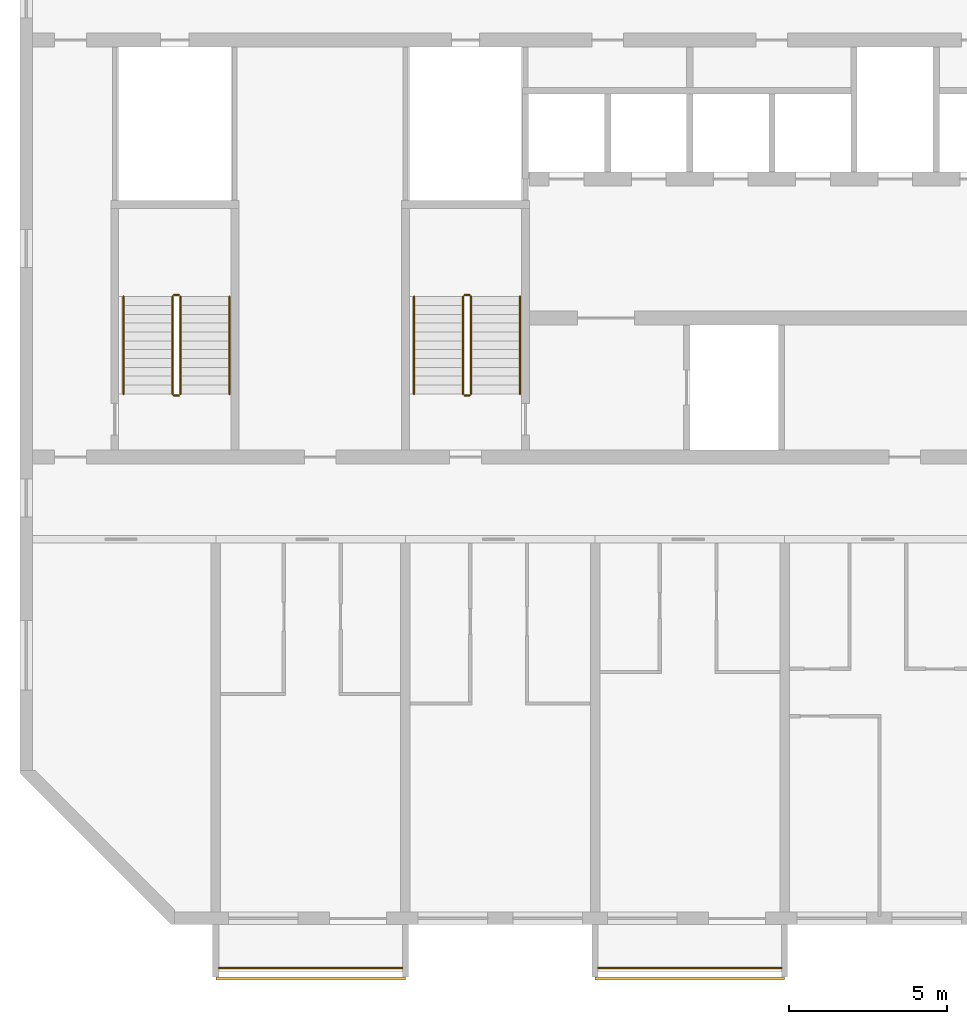
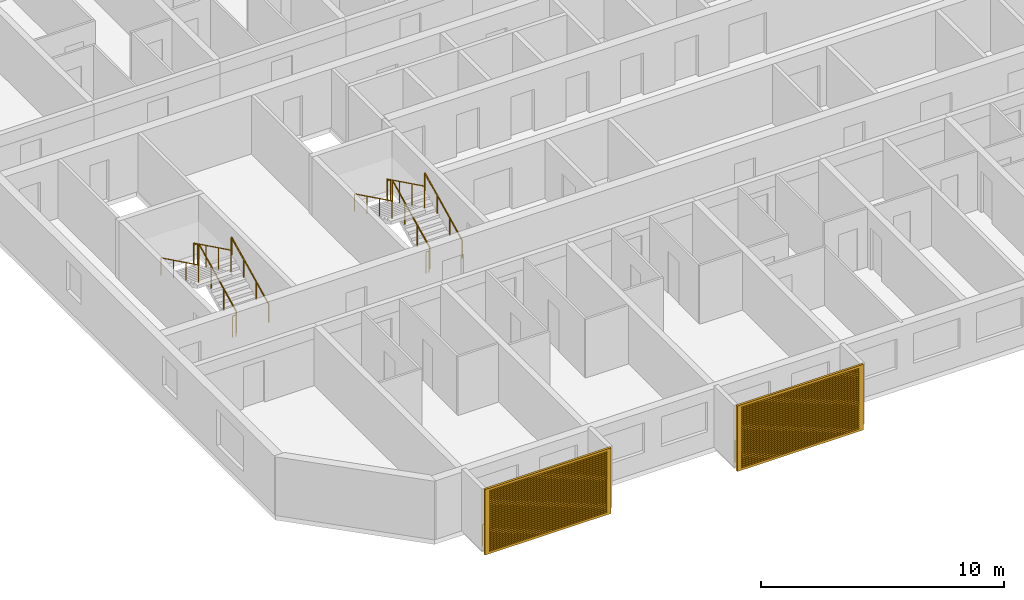
# One storey, part 13 of 26: 14 railings, 2 shading devices.
"""IFC4 building model written with IfcOpenShell, lengths in metres."""

from ifc_helpers import new_model, si_unit, direction, frame, origin, origin_2d, place, context, subcontext, project, spatial, polyline, circle, outline, extrude, source, transform, mapped, material, material_profile, profile_set, type_object, element, save


model = new_model("IFC4")

# Units and contexts
model_context = context("Model", 3, precision=1e-05, world=origin(), true_north=direction((0.0, 1.0)))
body_context = subcontext(model_context, "Body", "Model", "MODEL_VIEW")
ifc_project = project(units=[si_unit("LENGTHUNIT", "METRE"), si_unit("AREAUNIT", "SQUARE_METRE"), si_unit("VOLUMEUNIT", "CUBIC_METRE"), si_unit("PLANEANGLEUNIT", "RADIAN"), si_unit("MASSUNIT", "GRAM", prefix="KILO")], contexts=[model_context])

# Site, building, storey
site_placement = place(None, origin())
site = spatial("IfcSite", under=ifc_project, at=site_placement, CompositionType="ELEMENT")
building_placement = place(site_placement, origin())
building = spatial("IfcBuilding", under=site, at=building_placement, Name="Poui Terraces", CompositionType="ELEMENT")
storey_placement = place(building_placement, frame((0.0, 0.0, 162.0)))
storey = spatial("IfcBuildingStorey", under=building, at=storey_placement, Name="L45", CompositionType="ELEMENT", Elevation=162.0)

# Railings
ifc_material_1 = material(Name="Painted steel fretwork", Category="steel")
railing_type_1 = type_object("IfcRailingType", Name="BALCONY GUARD 1100", PredefinedType="GUARDRAIL", material=ifc_material_1)
for number, where, name in (
    (1, (24.10009765625, -1.570068359375, 0.0), "BALCONY GUARD"),
    (2, (36.10009765625, -1.570068359375, 0.0), "BALCONY GUARD"),
):
    element("IfcRailing", number, at=place(storey_placement, frame(where)), inside=storey, type_object=railing_type_1, Name=name, PredefinedType="GUARDRAIL", context=body_context, shape_type="SweptSolid", body=[
        extrude(circle(Radius=0.02392578125, at=origin_2d()), frame((0.0, 0.0, 1.076171875), z_axis=(1.0, 0.0, 0.0), x_axis=(0.0, 1.0, 0.0)), (0.0, 0.0, 1.0), 5.7998046875),
        extrude(circle(Radius=0.02099609375, at=origin_2d()), origin(), (0.0, 0.0, 1.0), 1.052001953125),
        extrude(circle(Radius=0.02099609375, at=origin_2d()), frame((0.966552734375, 0.0, 0.0)), (0.0, 0.0, 1.0), 1.052001953125),
        extrude(circle(Radius=0.02099609375, at=origin_2d()), frame((1.933349609375, 0.0, 0.0)), (0.0, 0.0, 1.0), 1.052001953125),
        extrude(circle(Radius=0.02099609375, at=origin_2d()), frame((2.89990234375, 0.0, 0.0)), (0.0, 0.0, 1.0), 1.052001953125),
        extrude(circle(Radius=0.02099609375, at=origin_2d()), frame((3.866455078125, 0.0, 0.0)), (0.0, 0.0, 1.0), 1.052001953125),
        extrude(circle(Radius=0.02099609375, at=origin_2d()), frame((4.833251953125, 0.0, 0.0)), (0.0, 0.0, 1.0), 1.052001953125),
        extrude(circle(Radius=0.02099609375, at=origin_2d()), frame((5.7998046875, 0.0, 0.0)), (0.0, 0.0, 1.0), 1.052001953125),
    ])
ifc_material_2 = material(Name="Galvanised steel balustrade", Category="steel")
railing_type_2 = type_object("IfcRailingType", Name="STAIR GUARD 1100", PredefinedType="GUARDRAIL", material=ifc_material_2)
railing_1_placement = place(storey_placement, frame((32.074951171875, 16.60009765625, 0.137451171875)))
element("IfcRailing", 3, at=railing_1_placement, inside=storey, type_object=railing_type_2, Name="L45 ST-CW stair guard 1", PredefinedType="GUARDRAIL", context=body_context, shape_type="SweptSolid", body=[
    extrude(circle(Radius=0.02392578125, at=origin_2d()), frame((0.0, 0.0, 1.076171875), z_axis=(0.0, 0.897606190399, 0.440798283751), x_axis=(-1.0, 0.0, 0.0)), (0.0, 0.0, 1.0), 3.43115234375),
    extrude(circle(Radius=0.02099609375, at=origin_2d()), origin(), (0.0, 0.0, 1.0), 1.052001953125),
    extrude(circle(Radius=0.02099609375, at=origin_2d()), frame((0.0, 1.026611328125, 0.504150390625)), (0.0, 0.0, 1.0), 1.052001953125),
    extrude(circle(Radius=0.02099609375, at=origin_2d()), frame((0.0, 2.05322265625, 1.00830078125)), (0.0, 0.0, 1.0), 1.052001953125),
    extrude(circle(Radius=0.02099609375, at=origin_2d()), frame((0.0, 3.079833984375, 1.512451171875)), (0.0, 0.0, 1.0), 1.052001953125),
])
railing_2_placement = place(storey_placement, frame((32.02490234375, 19.72998046875, 1.64990234375)))
element("IfcRailing", 4, at=railing_2_placement, inside=storey, type_object=railing_type_2, Name="L45 ST-CW stair guard 2", PredefinedType="GUARDRAIL", context=body_context, shape_type="SweptSolid", body=[
    extrude(circle(Radius=0.02392578125, at=origin_2d()), frame((0.0, 0.0, 1.076171875), z_axis=(-1.0, 0.0, 0.0), x_axis=(0.0, -1.0, 0.0)), (0.0, 0.0, 1.0), 0.14990234375),
    extrude(circle(Radius=0.02099609375, at=origin_2d()), origin(), (0.0, 0.0, 1.0), 1.052001953125),
    extrude(circle(Radius=0.02099609375, at=origin_2d()), frame((-0.14990234375, 0.0, 0.0)), (0.0, 0.0, 1.0), 1.052001953125),
])
railing_3_placement = place(storey_placement, frame((31.824951171875, 19.679931640625, 1.78759765625)))
element("IfcRailing", 5, at=railing_3_placement, inside=storey, type_object=railing_type_2, Name="L45 ST-CW stair guard 3", PredefinedType="GUARDRAIL", context=body_context, shape_type="SweptSolid", body=[
    extrude(circle(Radius=0.02392578125, at=origin_2d()), frame((0.0, 0.0, 1.076171875), z_axis=(0.0, -0.897606190399, 0.440798283751), x_axis=(1.0, 0.0, 0.0)), (0.0, 0.0, 1.0), 3.43115234375),
    extrude(circle(Radius=0.02099609375, at=origin_2d()), origin(), (0.0, 0.0, 1.0), 1.052001953125),
    extrude(circle(Radius=0.02099609375, at=origin_2d()), frame((0.0, -1.026611328125, 0.504150390625)), (0.0, 0.0, 1.0), 1.052001953125),
    extrude(circle(Radius=0.02099609375, at=origin_2d()), frame((0.0, -2.05322265625, 1.00830078125)), (0.0, 0.0, 1.0), 1.052001953125),
    extrude(circle(Radius=0.02099609375, at=origin_2d()), frame((0.0, -3.079833984375, 1.512451171875)), (0.0, 0.0, 1.0), 1.052001953125),
])
railing_4_placement = place(storey_placement, frame((32.02490234375, 16.550048828125, 0.0)))
element("IfcRailing", 6, at=railing_4_placement, inside=storey, type_object=railing_type_2, Name="L45 ST-CW stair guard 4", PredefinedType="GUARDRAIL", context=body_context, shape_type="SweptSolid", body=[
    extrude(circle(Radius=0.02392578125, at=origin_2d()), frame((0.0, 0.0, 1.076171875), z_axis=(-1.0, 0.0, 0.0), x_axis=(0.0, -1.0, 0.0)), (0.0, 0.0, 1.0), 0.14990234375),
    extrude(circle(Radius=0.02099609375, at=origin_2d()), origin(), (0.0, 0.0, 1.0), 1.052001953125),
    extrude(circle(Radius=0.02099609375, at=origin_2d()), frame((-0.14990234375, 0.0, 0.0)), (0.0, 0.0, 1.0), 1.052001953125),
])
railing_5_placement = place(storey_placement, frame((22.875, 16.60009765625, 0.137451171875)))
element("IfcRailing", 7, at=railing_5_placement, inside=storey, type_object=railing_type_2, Name="L45 ST-W stair guard 1", PredefinedType="GUARDRAIL", context=body_context, shape_type="SweptSolid", body=[
    extrude(circle(Radius=0.02392578125, at=origin_2d()), frame((0.0, 0.0, 1.076171875), z_axis=(0.0, 0.897606190399, 0.440798283751), x_axis=(-1.0, 0.0, 0.0)), (0.0, 0.0, 1.0), 3.43115234375),
    extrude(circle(Radius=0.02099609375, at=origin_2d()), origin(), (0.0, 0.0, 1.0), 1.052001953125),
    extrude(circle(Radius=0.02099609375, at=origin_2d()), frame((0.0, 1.026611328125, 0.504150390625)), (0.0, 0.0, 1.0), 1.052001953125),
    extrude(circle(Radius=0.02099609375, at=origin_2d()), frame((0.0, 2.05322265625, 1.00830078125)), (0.0, 0.0, 1.0), 1.052001953125),
    extrude(circle(Radius=0.02099609375, at=origin_2d()), frame((0.0, 3.079833984375, 1.512451171875)), (0.0, 0.0, 1.0), 1.052001953125),
])
railing_6_placement = place(storey_placement, frame((22.824951171875, 19.72998046875, 1.64990234375)))
element("IfcRailing", 8, at=railing_6_placement, inside=storey, type_object=railing_type_2, Name="L45 ST-W stair guard 2", PredefinedType="GUARDRAIL", context=body_context, shape_type="SweptSolid", body=[
    extrude(circle(Radius=0.02392578125, at=origin_2d()), frame((0.0, 0.0, 1.076171875), z_axis=(-1.0, 0.0, 0.0), x_axis=(0.0, -1.0, 0.0)), (0.0, 0.0, 1.0), 0.14990234375),
    extrude(circle(Radius=0.02099609375, at=origin_2d()), origin(), (0.0, 0.0, 1.0), 1.052001953125),
    extrude(circle(Radius=0.02099609375, at=origin_2d()), frame((-0.14990234375, 0.0, 0.0)), (0.0, 0.0, 1.0), 1.052001953125),
])
railing_7_placement = place(storey_placement, frame((22.625, 19.679931640625, 1.78759765625)))
element("IfcRailing", 9, at=railing_7_placement, inside=storey, type_object=railing_type_2, Name="L45 ST-W stair guard 3", PredefinedType="GUARDRAIL", context=body_context, shape_type="SweptSolid", body=[
    extrude(circle(Radius=0.02392578125, at=origin_2d()), frame((0.0, 0.0, 1.076171875), z_axis=(0.0, -0.897606190399, 0.440798283751), x_axis=(1.0, 0.0, 0.0)), (0.0, 0.0, 1.0), 3.43115234375),
    extrude(circle(Radius=0.02099609375, at=origin_2d()), origin(), (0.0, 0.0, 1.0), 1.052001953125),
    extrude(circle(Radius=0.02099609375, at=origin_2d()), frame((0.0, -1.026611328125, 0.504150390625)), (0.0, 0.0, 1.0), 1.052001953125),
    extrude(circle(Radius=0.02099609375, at=origin_2d()), frame((0.0, -2.05322265625, 1.00830078125)), (0.0, 0.0, 1.0), 1.052001953125),
    extrude(circle(Radius=0.02099609375, at=origin_2d()), frame((0.0, -3.079833984375, 1.512451171875)), (0.0, 0.0, 1.0), 1.052001953125),
])
railing_8_placement = place(storey_placement, frame((22.824951171875, 16.550048828125, 0.0)))
element("IfcRailing", 10, at=railing_8_placement, inside=storey, type_object=railing_type_2, Name="L45 ST-W stair guard 4", PredefinedType="GUARDRAIL", context=body_context, shape_type="SweptSolid", body=[
    extrude(circle(Radius=0.02392578125, at=origin_2d()), frame((0.0, 0.0, 1.076171875), z_axis=(-1.0, 0.0, 0.0), x_axis=(0.0, -1.0, 0.0)), (0.0, 0.0, 1.0), 0.14990234375),
    extrude(circle(Radius=0.02099609375, at=origin_2d()), origin(), (0.0, 0.0, 1.0), 1.052001953125),
    extrude(circle(Radius=0.02099609375, at=origin_2d()), frame((-0.14990234375, 0.0, 0.0)), (0.0, 0.0, 1.0), 1.052001953125),
])
ifc_material_3 = material(Name="Stainless steel handrail", Category="steel")
railing_type_3 = type_object("IfcRailingType", Name="STAIR HANDRAIL 900", PredefinedType="HANDRAIL", material=ifc_material_3)
railing_9_placement = place(storey_placement, frame((33.625, 16.60009765625, 0.137451171875)))
element("IfcRailing", 11, at=railing_9_placement, inside=storey, type_object=railing_type_3, Name="L45 ST-CW stair handrail 1", PredefinedType="HANDRAIL", context=body_context, shape_type="SweptSolid", body=[
    extrude(circle(Radius=0.02392578125, at=origin_2d()), frame((0.0, 0.0, 0.8759765625), z_axis=(0.0, 0.897606190399, 0.440798283751), x_axis=(-1.0, 0.0, 0.0)), (0.0, 0.0, 1.0), 3.43115234375),
    extrude(circle(Radius=0.02099609375, at=origin_2d()), origin(), (0.0, 0.0, 1.0), 0.851806640625),
    extrude(circle(Radius=0.02099609375, at=origin_2d()), frame((0.0, 1.026611328125, 0.504150390625)), (0.0, 0.0, 1.0), 0.851806640625),
    extrude(circle(Radius=0.02099609375, at=origin_2d()), frame((0.0, 2.05322265625, 1.00830078125)), (0.0, 0.0, 1.0), 0.851806640625),
    extrude(circle(Radius=0.02099609375, at=origin_2d()), frame((0.0, 3.079833984375, 1.512451171875)), (0.0, 0.0, 1.0), 0.851806640625),
])
railing_10_placement = place(storey_placement, frame((30.27490234375, 19.679931640625, 1.78759765625)))
element("IfcRailing", 12, at=railing_10_placement, inside=storey, type_object=railing_type_3, Name="L45 ST-CW stair handrail 2", PredefinedType="HANDRAIL", context=body_context, shape_type="SweptSolid", body=[
    extrude(circle(Radius=0.02392578125, at=origin_2d()), frame((0.0, 0.0, 0.8759765625), z_axis=(0.0, -0.897606190399, 0.440798283751), x_axis=(1.0, 0.0, 0.0)), (0.0, 0.0, 1.0), 3.43115234375),
    extrude(circle(Radius=0.02099609375, at=origin_2d()), origin(), (0.0, 0.0, 1.0), 0.851806640625),
    extrude(circle(Radius=0.02099609375, at=origin_2d()), frame((0.0, -1.026611328125, 0.504150390625)), (0.0, 0.0, 1.0), 0.851806640625),
    extrude(circle(Radius=0.02099609375, at=origin_2d()), frame((0.0, -2.05322265625, 1.00830078125)), (0.0, 0.0, 1.0), 0.851806640625),
    extrude(circle(Radius=0.02099609375, at=origin_2d()), frame((0.0, -3.079833984375, 1.512451171875)), (0.0, 0.0, 1.0), 0.851806640625),
])
railing_11_placement = place(storey_placement, frame((24.425048828125, 16.60009765625, 0.137451171875)))
element("IfcRailing", 13, at=railing_11_placement, inside=storey, type_object=railing_type_3, Name="L45 ST-W stair handrail 1", PredefinedType="HANDRAIL", context=body_context, shape_type="SweptSolid", body=[
    extrude(circle(Radius=0.02392578125, at=origin_2d()), frame((0.0, 0.0, 0.8759765625), z_axis=(0.0, 0.897606190399, 0.440798283751), x_axis=(-1.0, 0.0, 0.0)), (0.0, 0.0, 1.0), 3.43115234375),
    extrude(circle(Radius=0.02099609375, at=origin_2d()), origin(), (0.0, 0.0, 1.0), 0.851806640625),
    extrude(circle(Radius=0.02099609375, at=origin_2d()), frame((0.0, 1.026611328125, 0.504150390625)), (0.0, 0.0, 1.0), 0.851806640625),
    extrude(circle(Radius=0.02099609375, at=origin_2d()), frame((0.0, 2.05322265625, 1.00830078125)), (0.0, 0.0, 1.0), 0.851806640625),
    extrude(circle(Radius=0.02099609375, at=origin_2d()), frame((0.0, 3.079833984375, 1.512451171875)), (0.0, 0.0, 1.0), 0.851806640625),
])
railing_12_placement = place(storey_placement, frame((21.074951171875, 19.679931640625, 1.78759765625)))
element("IfcRailing", 14, at=railing_12_placement, inside=storey, type_object=railing_type_3, Name="L45 ST-W stair handrail 2", PredefinedType="HANDRAIL", context=body_context, shape_type="SweptSolid", body=[
    extrude(circle(Radius=0.02392578125, at=origin_2d()), frame((0.0, 0.0, 0.8759765625), z_axis=(0.0, -0.897606190399, 0.440798283751), x_axis=(1.0, 0.0, 0.0)), (0.0, 0.0, 1.0), 3.43115234375),
    extrude(circle(Radius=0.02099609375, at=origin_2d()), origin(), (0.0, 0.0, 1.0), 0.851806640625),
    extrude(circle(Radius=0.02099609375, at=origin_2d()), frame((0.0, -1.026611328125, 0.504150390625)), (0.0, 0.0, 1.0), 0.851806640625),
    extrude(circle(Radius=0.02099609375, at=origin_2d()), frame((0.0, -2.05322265625, 1.00830078125)), (0.0, 0.0, 1.0), 0.851806640625),
    extrude(circle(Radius=0.02099609375, at=origin_2d()), frame((0.0, -3.079833984375, 1.512451171875)), (0.0, 0.0, 1.0), 0.851806640625),
])

# Shading devices
ifc_material_4 = material(Name="Aluminium louvre", Category="aluminium")
ifc_material_profile = material_profile(ifc_material_4, outline(polyline([(-3.0, -1.64990234375), (3.0, -1.64990234375), (3.0, 1.64990234375), (-3.0, 1.64990234375), (-3.0, -1.64990234375)]), holes=[polyline([(-2.800048828125, -1.530029296875), (2.800048828125, -1.530029296875), (2.800048828125, -1.469970703125), (-2.800048828125, -1.469970703125), (-2.800048828125, -1.530029296875)]), polyline([(-2.800048828125, -1.429931640625), (2.800048828125, -1.429931640625), (2.800048828125, -1.3701171875), (-2.800048828125, -1.3701171875), (-2.800048828125, -1.429931640625)]), polyline([(-2.800048828125, -1.330078125), (2.800048828125, -1.330078125), (2.800048828125, -1.27001953125), (-2.800048828125, -1.27001953125), (-2.800048828125, -1.330078125)]), polyline([(-2.800048828125, -1.22998046875), (2.800048828125, -1.22998046875), (2.800048828125, -1.169921875), (-2.800048828125, -1.169921875), (-2.800048828125, -1.22998046875)]), polyline([(-2.800048828125, -1.1298828125), (2.800048828125, -1.1298828125), (2.800048828125, -1.070068359375), (-2.800048828125, -1.070068359375), (-2.800048828125, -1.1298828125)]), polyline([(-2.800048828125, -1.030029296875), (2.800048828125, -1.030029296875), (2.800048828125, -0.969970703125), (-2.800048828125, -0.969970703125), (-2.800048828125, -1.030029296875)]), polyline([(-2.800048828125, -0.929931640625), (2.800048828125, -0.929931640625), (2.800048828125, -0.8701171875), (-2.800048828125, -0.8701171875), (-2.800048828125, -0.929931640625)]), polyline([(-2.800048828125, -0.830078125), (2.800048828125, -0.830078125), (2.800048828125, -0.77001953125), (-2.800048828125, -0.77001953125), (-2.800048828125, -0.830078125)]), polyline([(-2.800048828125, -0.72998046875), (2.800048828125, -0.72998046875), (2.800048828125, -0.669921875), (-2.800048828125, -0.669921875), (-2.800048828125, -0.72998046875)]), polyline([(-2.800048828125, -0.6298828125), (2.800048828125, -0.6298828125), (2.800048828125, -0.570068359375), (-2.800048828125, -0.570068359375), (-2.800048828125, -0.6298828125)]), polyline([(-2.800048828125, -0.530029296875), (2.800048828125, -0.530029296875), (2.800048828125, -0.469970703125), (-2.800048828125, -0.469970703125), (-2.800048828125, -0.530029296875)]), polyline([(-2.800048828125, -0.429931640625), (2.800048828125, -0.429931640625), (2.800048828125, -0.3701171875), (-2.800048828125, -0.3701171875), (-2.800048828125, -0.429931640625)]), polyline([(-2.800048828125, -0.330078125), (2.800048828125, -0.330078125), (2.800048828125, -0.27001953125), (-2.800048828125, -0.27001953125), (-2.800048828125, -0.330078125)]), polyline([(-2.800048828125, -0.22998046875), (2.800048828125, -0.22998046875), (2.800048828125, -0.169921875), (-2.800048828125, -0.169921875), (-2.800048828125, -0.22998046875)]), polyline([(-2.800048828125, -0.1298828125), (2.800048828125, -0.1298828125), (2.800048828125, -0.070068359375), (-2.800048828125, -0.070068359375), (-2.800048828125, -0.1298828125)]), polyline([(-2.800048828125, -0.030029296875), (2.800048828125, -0.030029296875), (2.800048828125, 0.030029296875), (-2.800048828125, 0.030029296875), (-2.800048828125, -0.030029296875)]), polyline([(-2.800048828125, 0.070068359375), (2.800048828125, 0.070068359375), (2.800048828125, 0.1298828125), (-2.800048828125, 0.1298828125), (-2.800048828125, 0.070068359375)]), polyline([(-2.800048828125, 0.169921875), (2.800048828125, 0.169921875), (2.800048828125, 0.22998046875), (-2.800048828125, 0.22998046875), (-2.800048828125, 0.169921875)]), polyline([(-2.800048828125, 0.27001953125), (2.800048828125, 0.27001953125), (2.800048828125, 0.330078125), (-2.800048828125, 0.330078125), (-2.800048828125, 0.27001953125)]), polyline([(-2.800048828125, 0.3701171875), (2.800048828125, 0.3701171875), (2.800048828125, 0.429931640625), (-2.800048828125, 0.429931640625), (-2.800048828125, 0.3701171875)]), polyline([(-2.800048828125, 0.469970703125), (2.800048828125, 0.469970703125), (2.800048828125, 0.530029296875), (-2.800048828125, 0.530029296875), (-2.800048828125, 0.469970703125)]), polyline([(-2.800048828125, 0.570068359375), (2.800048828125, 0.570068359375), (2.800048828125, 0.6298828125), (-2.800048828125, 0.6298828125), (-2.800048828125, 0.570068359375)]), polyline([(-2.800048828125, 0.669921875), (2.800048828125, 0.669921875), (2.800048828125, 0.72998046875), (-2.800048828125, 0.72998046875), (-2.800048828125, 0.669921875)]), polyline([(-2.800048828125, 0.77001953125), (2.800048828125, 0.77001953125), (2.800048828125, 0.830078125), (-2.800048828125, 0.830078125), (-2.800048828125, 0.77001953125)]), polyline([(-2.800048828125, 0.8701171875), (2.800048828125, 0.8701171875), (2.800048828125, 0.929931640625), (-2.800048828125, 0.929931640625), (-2.800048828125, 0.8701171875)]), polyline([(-2.800048828125, 0.969970703125), (2.800048828125, 0.969970703125), (2.800048828125, 1.030029296875), (-2.800048828125, 1.030029296875), (-2.800048828125, 0.969970703125)]), polyline([(-2.800048828125, 1.070068359375), (2.800048828125, 1.070068359375), (2.800048828125, 1.1298828125), (-2.800048828125, 1.1298828125), (-2.800048828125, 1.070068359375)]), polyline([(-2.800048828125, 1.169921875), (2.800048828125, 1.169921875), (2.800048828125, 1.22998046875), (-2.800048828125, 1.22998046875), (-2.800048828125, 1.169921875)]), polyline([(-2.800048828125, 1.27001953125), (2.800048828125, 1.27001953125), (2.800048828125, 1.330078125), (-2.800048828125, 1.330078125), (-2.800048828125, 1.27001953125)]), polyline([(-2.800048828125, 1.3701171875), (2.800048828125, 1.3701171875), (2.800048828125, 1.429931640625), (-2.800048828125, 1.429931640625), (-2.800048828125, 1.3701171875)]), polyline([(-2.800048828125, 1.469970703125), (2.800048828125, 1.469970703125), (2.800048828125, 1.530029296875), (-2.800048828125, 1.530029296875), (-2.800048828125, 1.469970703125)])]), Name="JALOUSIE LOUVRE SHUTTER 6000X3300")
ifc_profile_set = profile_set([ifc_material_profile], Name="Aluminium louvre")
shading_device_type = type_object("IfcShadingDeviceType", Name="JALOUSIE LOUVRE SHUTTER 6000X3300", PredefinedType="JALOUSIE", material=ifc_profile_set)
shared_shape = source(origin(), body_context, "Body", "SweptSolid", [
    extrude(outline(polyline([(-3.0, -1.64990234375), (3.0, -1.64990234375), (3.0, 1.64990234375), (-3.0, 1.64990234375), (-3.0, -1.64990234375)]), holes=[polyline([(-2.800048828125, -1.530029296875), (2.800048828125, -1.530029296875), (2.800048828125, -1.469970703125), (-2.800048828125, -1.469970703125), (-2.800048828125, -1.530029296875)]), polyline([(-2.800048828125, -1.429931640625), (2.800048828125, -1.429931640625), (2.800048828125, -1.3701171875), (-2.800048828125, -1.3701171875), (-2.800048828125, -1.429931640625)]), polyline([(-2.800048828125, -1.330078125), (2.800048828125, -1.330078125), (2.800048828125, -1.27001953125), (-2.800048828125, -1.27001953125), (-2.800048828125, -1.330078125)]), polyline([(-2.800048828125, -1.22998046875), (2.800048828125, -1.22998046875), (2.800048828125, -1.169921875), (-2.800048828125, -1.169921875), (-2.800048828125, -1.22998046875)]), polyline([(-2.800048828125, -1.1298828125), (2.800048828125, -1.1298828125), (2.800048828125, -1.070068359375), (-2.800048828125, -1.070068359375), (-2.800048828125, -1.1298828125)]), polyline([(-2.800048828125, -1.030029296875), (2.800048828125, -1.030029296875), (2.800048828125, -0.969970703125), (-2.800048828125, -0.969970703125), (-2.800048828125, -1.030029296875)]), polyline([(-2.800048828125, -0.929931640625), (2.800048828125, -0.929931640625), (2.800048828125, -0.8701171875), (-2.800048828125, -0.8701171875), (-2.800048828125, -0.929931640625)]), polyline([(-2.800048828125, -0.830078125), (2.800048828125, -0.830078125), (2.800048828125, -0.77001953125), (-2.800048828125, -0.77001953125), (-2.800048828125, -0.830078125)]), polyline([(-2.800048828125, -0.72998046875), (2.800048828125, -0.72998046875), (2.800048828125, -0.669921875), (-2.800048828125, -0.669921875), (-2.800048828125, -0.72998046875)]), polyline([(-2.800048828125, -0.6298828125), (2.800048828125, -0.6298828125), (2.800048828125, -0.570068359375), (-2.800048828125, -0.570068359375), (-2.800048828125, -0.6298828125)]), polyline([(-2.800048828125, -0.530029296875), (2.800048828125, -0.530029296875), (2.800048828125, -0.469970703125), (-2.800048828125, -0.469970703125), (-2.800048828125, -0.530029296875)]), polyline([(-2.800048828125, -0.429931640625), (2.800048828125, -0.429931640625), (2.800048828125, -0.3701171875), (-2.800048828125, -0.3701171875), (-2.800048828125, -0.429931640625)]), polyline([(-2.800048828125, -0.330078125), (2.800048828125, -0.330078125), (2.800048828125, -0.27001953125), (-2.800048828125, -0.27001953125), (-2.800048828125, -0.330078125)]), polyline([(-2.800048828125, -0.22998046875), (2.800048828125, -0.22998046875), (2.800048828125, -0.169921875), (-2.800048828125, -0.169921875), (-2.800048828125, -0.22998046875)]), polyline([(-2.800048828125, -0.1298828125), (2.800048828125, -0.1298828125), (2.800048828125, -0.070068359375), (-2.800048828125, -0.070068359375), (-2.800048828125, -0.1298828125)]), polyline([(-2.800048828125, -0.030029296875), (2.800048828125, -0.030029296875), (2.800048828125, 0.030029296875), (-2.800048828125, 0.030029296875), (-2.800048828125, -0.030029296875)]), polyline([(-2.800048828125, 0.070068359375), (2.800048828125, 0.070068359375), (2.800048828125, 0.1298828125), (-2.800048828125, 0.1298828125), (-2.800048828125, 0.070068359375)]), polyline([(-2.800048828125, 0.169921875), (2.800048828125, 0.169921875), (2.800048828125, 0.22998046875), (-2.800048828125, 0.22998046875), (-2.800048828125, 0.169921875)]), polyline([(-2.800048828125, 0.27001953125), (2.800048828125, 0.27001953125), (2.800048828125, 0.330078125), (-2.800048828125, 0.330078125), (-2.800048828125, 0.27001953125)]), polyline([(-2.800048828125, 0.3701171875), (2.800048828125, 0.3701171875), (2.800048828125, 0.429931640625), (-2.800048828125, 0.429931640625), (-2.800048828125, 0.3701171875)]), polyline([(-2.800048828125, 0.469970703125), (2.800048828125, 0.469970703125), (2.800048828125, 0.530029296875), (-2.800048828125, 0.530029296875), (-2.800048828125, 0.469970703125)]), polyline([(-2.800048828125, 0.570068359375), (2.800048828125, 0.570068359375), (2.800048828125, 0.6298828125), (-2.800048828125, 0.6298828125), (-2.800048828125, 0.570068359375)]), polyline([(-2.800048828125, 0.669921875), (2.800048828125, 0.669921875), (2.800048828125, 0.72998046875), (-2.800048828125, 0.72998046875), (-2.800048828125, 0.669921875)]), polyline([(-2.800048828125, 0.77001953125), (2.800048828125, 0.77001953125), (2.800048828125, 0.830078125), (-2.800048828125, 0.830078125), (-2.800048828125, 0.77001953125)]), polyline([(-2.800048828125, 0.8701171875), (2.800048828125, 0.8701171875), (2.800048828125, 0.929931640625), (-2.800048828125, 0.929931640625), (-2.800048828125, 0.8701171875)]), polyline([(-2.800048828125, 0.969970703125), (2.800048828125, 0.969970703125), (2.800048828125, 1.030029296875), (-2.800048828125, 1.030029296875), (-2.800048828125, 0.969970703125)]), polyline([(-2.800048828125, 1.070068359375), (2.800048828125, 1.070068359375), (2.800048828125, 1.1298828125), (-2.800048828125, 1.1298828125), (-2.800048828125, 1.070068359375)]), polyline([(-2.800048828125, 1.169921875), (2.800048828125, 1.169921875), (2.800048828125, 1.22998046875), (-2.800048828125, 1.22998046875), (-2.800048828125, 1.169921875)]), polyline([(-2.800048828125, 1.27001953125), (2.800048828125, 1.27001953125), (2.800048828125, 1.330078125), (-2.800048828125, 1.330078125), (-2.800048828125, 1.27001953125)]), polyline([(-2.800048828125, 1.3701171875), (2.800048828125, 1.3701171875), (2.800048828125, 1.429931640625), (-2.800048828125, 1.429931640625), (-2.800048828125, 1.3701171875)]), polyline([(-2.800048828125, 1.469970703125), (2.800048828125, 1.469970703125), (2.800048828125, 1.530029296875), (-2.800048828125, 1.530029296875), (-2.800048828125, 1.469970703125)])]), origin(), (0.0, 0.0, 1.0), 0.099853515625),
])
for number, where, z_axis, x_axis, name in (
    (15, (27.0, -1.85009765625, 1.449951171875), (0.0, -1.0, 0.0), (1.0, 0.0, 0.0), "JALOUSIE LOUVRE SHUTTER"),
    (16, (39.0, -1.85009765625, 1.449951171875), (0.0, -1.0, 0.0), (1.0, 0.0, 0.0), "JALOUSIE LOUVRE SHUTTER"),
):
    element("IfcShadingDevice", number, at=place(storey_placement, frame(where, z_axis=z_axis, x_axis=x_axis)), inside=storey, type_object=shading_device_type, Name=name, PredefinedType="JALOUSIE", context=body_context, shape_type="MappedRepresentation", body=[
        mapped(shared_shape, transform((0.0, 0.0, 0.0))),
    ])

save(model, "model.ifc")
